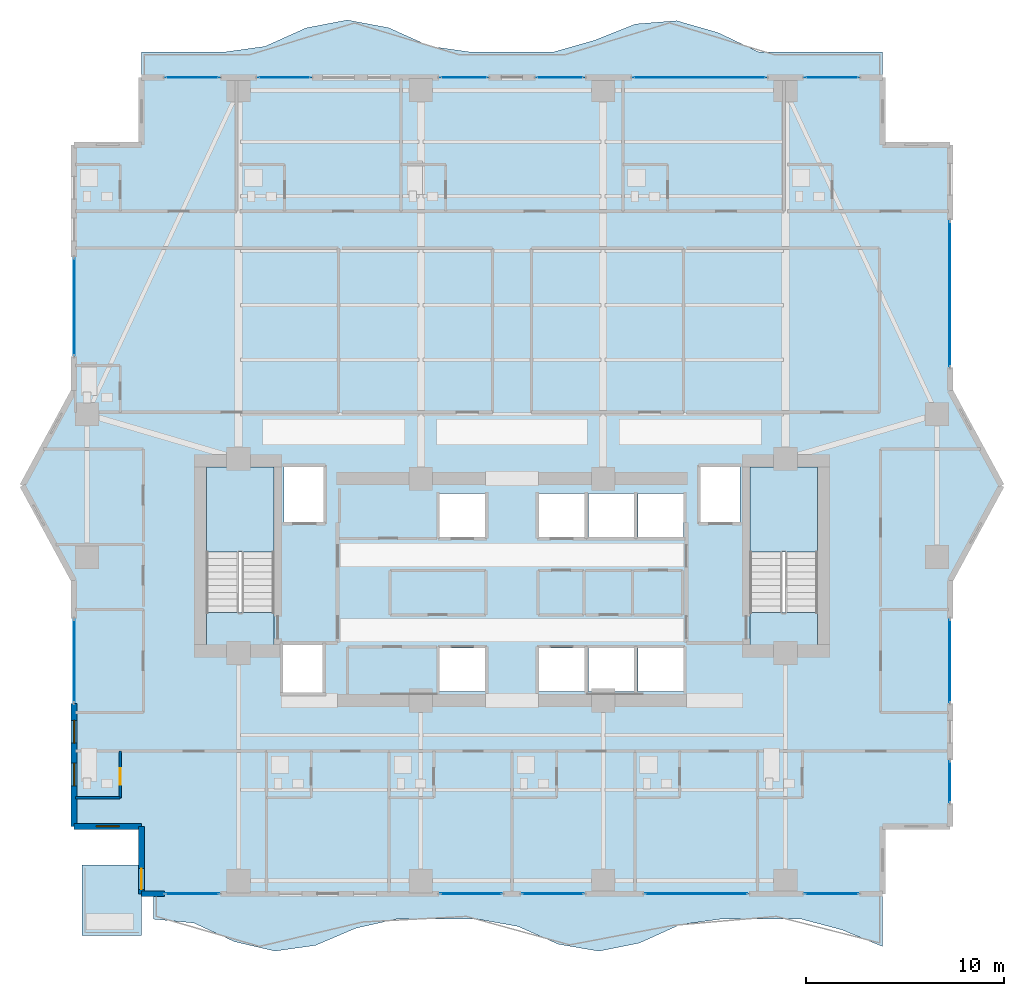
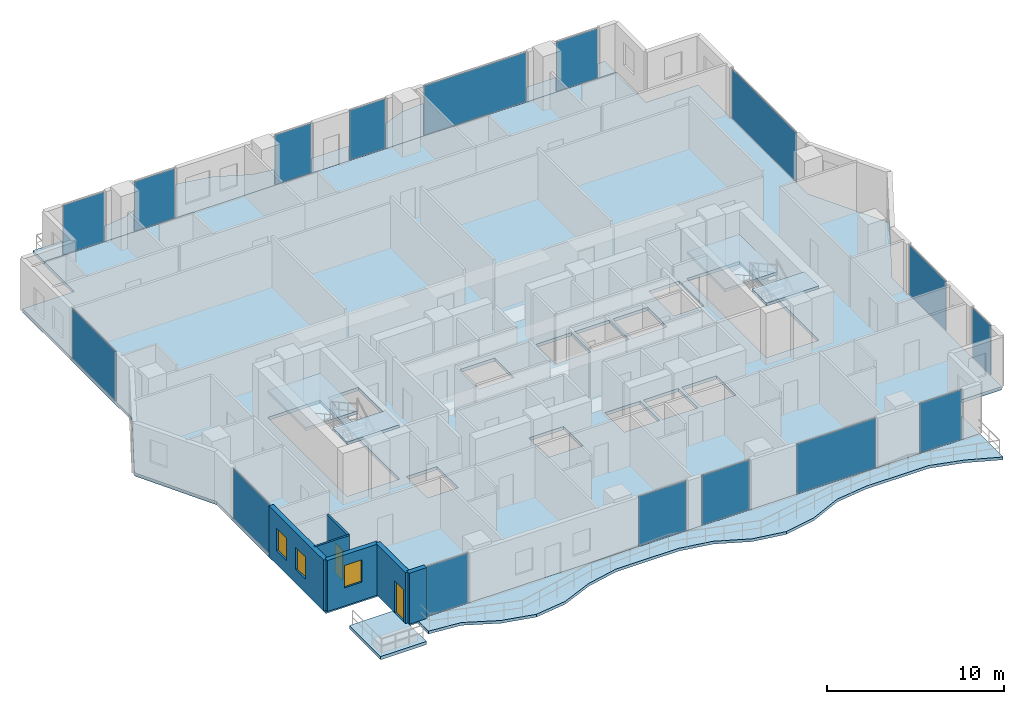
# One storey, part 23 of 32: 16 plates, 8 slabs, 6 walls, 3 windows, 2 doors, 5 openings, 18 elements without a shape of their own.
"""IFC4 building model written with IfcOpenShell, lengths in metres."""

from ifc_helpers import new_model, si_unit, direction, frame, frame_2d, origin, origin_2d, place, context, subcontext, project, spatial, polyline, rectangle, outline, extrude, material, layer, layer_set, type_object, element, fill, aggregate, save


model = new_model("IFC4")

# Units and contexts
model_context = context("Model", 3, precision=1e-05, world=origin(), true_north=direction((0.0, 1.0)))
body_context = subcontext(model_context, "Body", "Model", "MODEL_VIEW")
ifc_project = project(units=[si_unit("LENGTHUNIT", "METRE"), si_unit("AREAUNIT", "SQUARE_METRE"), si_unit("VOLUMEUNIT", "CUBIC_METRE"), si_unit("PLANEANGLEUNIT", "RADIAN"), si_unit("MASSUNIT", "GRAM", prefix="KILO")], contexts=[model_context])

# Site, building, storey
site_placement = place(None, origin())
site = spatial("IfcSite", under=ifc_project, at=site_placement, CompositionType="ELEMENT")
building_placement = place(site_placement, origin())
building = spatial("IfcBuilding", under=site, at=building_placement, Name="Zuhayl Quay Hotel", CompositionType="ELEMENT")
storey_placement = place(building_placement, frame((0.0, 0.0, 192.39990234375)))
storey = spatial("IfcBuildingStorey", under=building, at=storey_placement, Name="L48", CompositionType="ELEMENT", Elevation=192.39990234375)

# Curtain wall, plate
ifc_material_1 = material(Name="Anodised Aluminium 6063-T6", Category="aluminium")
ifc_layer_1 = layer(ifc_material_1, 0.175048828125, Name="Anodised Aluminium 6063-T6", Category="aluminium")
ifc_layer_set_1 = layer_set([ifc_layer_1], Name="Anodised Aluminium 6063-T6")
curtain_wall_type = type_object("IfcCurtainWallType", Name="CW_SYS_Z3", PredefinedType="USERDEFINED", material=ifc_layer_set_1)
curtain_wall_1_placement = place(storey_placement, origin())
curtain_wall_1 = element("IfcCurtainWall", 1, at=curtain_wall_1_placement, inside=storey, type_object=curtain_wall_type, Name="L48 Curtain Wall ENV_L48_E02_CW1", ObjectType="UNITISED CURTAIN WALL", PredefinedType="USERDEFINED")
ifc_material_2 = material(Name="Dark Ceramic-Fritted Solar Glass", Category="glass")
ifc_layer_2 = layer(ifc_material_2, 0.0400390625, Name="Dark Ceramic-Fritted Solar Glass", Category="glass")
ifc_layer_set_2 = layer_set([ifc_layer_2], Name="Dark Ceramic-Fritted Solar Glass")
plate_type = type_object("IfcPlateType", Name="PN_OP_VENT_Z3", PredefinedType="CURTAIN_PANEL", material=ifc_layer_set_2)
plate_1_placement = place(storey_placement, frame((-22.10009765625, 4.14990234375, 0.05517578125), z_axis=(0.0, 0.0, 1.0), x_axis=(0.0, 1.0, 0.0)))
plate_1 = element("IfcPlate", 2, at=plate_1_placement, type_object=plate_type, Name="CW-Z3 panel 1.1", PredefinedType="CURTAIN_PANEL", context=body_context, shape_type="SweptSolid", body=[
    extrude(rectangle(XDim=4.169921875, YDim=0.0400390625, at=origin_2d()), origin(), (0.0, 0.0, 1.0), 3.419921875),
])
aggregate(curtain_wall_1, [plate_1])

curtain_wall_2_placement = place(storey_placement, origin())
curtain_wall_2 = element("IfcCurtainWall", 3, at=curtain_wall_2_placement, inside=storey, type_object=curtain_wall_type, Name="L48 Curtain Wall ENV_L48_E05_CW1", ObjectType="UNITISED CURTAIN WALL", PredefinedType="USERDEFINED")
plate_2_placement = place(storey_placement, frame((-22.10009765625, 22.030029296875, 0.05517578125), z_axis=(0.0, 0.0, 1.0), x_axis=(0.0, 1.0, 0.0)))
plate_2 = element("IfcPlate", 4, at=plate_2_placement, type_object=plate_type, Name="CW-Z3 panel 1.1", PredefinedType="CURTAIN_PANEL", context=body_context, shape_type="SweptSolid", body=[
    extrude(rectangle(XDim=4.909912109375, YDim=0.0400390625, at=origin_2d()), origin(), (0.0, 0.0, 1.0), 3.419921875),
])
aggregate(curtain_wall_2, [plate_2])

curtain_wall_3_placement = place(storey_placement, origin())
curtain_wall_3 = element("IfcCurtainWall", 5, at=curtain_wall_3_placement, inside=storey, type_object=curtain_wall_type, Name="L48 Curtain Wall ENV_L48_N_CW1", ObjectType="UNITISED CURTAIN WALL", PredefinedType="USERDEFINED")
plate_3_placement = place(storey_placement, frame((-16.135009765625, 33.60009765625, 0.05517578125), z_axis=(0.0, 0.0, 1.0), x_axis=(1.0, 0.0, 0.0)))
plate_3 = element("IfcPlate", 6, at=plate_3_placement, type_object=plate_type, Name="CW-Z3 panel 1.1", PredefinedType="CURTAIN_PANEL", context=body_context, shape_type="SweptSolid", body=[
    extrude(rectangle(XDim=2.699951171875, YDim=0.0400390625, at=origin_2d()), origin(), (0.0, 0.0, 1.0), 3.419921875),
])
aggregate(curtain_wall_3, [plate_3])

curtain_wall_4_placement = place(storey_placement, origin())
curtain_wall_4 = element("IfcCurtainWall", 7, at=curtain_wall_4_placement, inside=storey, type_object=curtain_wall_type, Name="L48 Curtain Wall ENV_L48_N_CW2", ObjectType="UNITISED CURTAIN WALL", PredefinedType="USERDEFINED")
plate_4_placement = place(storey_placement, frame((-11.491943359375, 33.60009765625, 0.05517578125), z_axis=(0.0, 0.0, 1.0), x_axis=(1.0, 0.0, 0.0)))
plate_4 = element("IfcPlate", 8, at=plate_4_placement, type_object=plate_type, Name="CW-Z3 panel 1.1", PredefinedType="CURTAIN_PANEL", context=body_context, shape_type="SweptSolid", body=[
    extrude(rectangle(XDim=2.64599609375, YDim=0.0400390625, at=origin_2d()), origin(), (0.0, 0.0, 1.0), 3.419921875),
])
aggregate(curtain_wall_4, [plate_4])

curtain_wall_5_placement = place(storey_placement, origin())
curtain_wall_5 = element("IfcCurtainWall", 9, at=curtain_wall_5_placement, inside=storey, type_object=curtain_wall_type, Name="L48 Curtain Wall ENV_L48_N_CW3", ObjectType="UNITISED CURTAIN WALL", PredefinedType="USERDEFINED")
plate_5_placement = place(storey_placement, frame((-2.427490234375, 33.60009765625, 0.05517578125), z_axis=(0.0, 0.0, 1.0), x_axis=(1.0, 0.0, 0.0)))
plate_5 = element("IfcPlate", 10, at=plate_5_placement, type_object=plate_type, Name="CW-Z3 panel 1.1", PredefinedType="CURTAIN_PANEL", context=body_context, shape_type="SweptSolid", body=[
    extrude(rectangle(XDim=2.375, YDim=0.0400390625, at=origin_2d()), origin(), (0.0, 0.0, 1.0), 3.419921875),
])
aggregate(curtain_wall_5, [plate_5])

curtain_wall_6_placement = place(storey_placement, origin())
curtain_wall_6 = element("IfcCurtainWall", 11, at=curtain_wall_6_placement, inside=storey, type_object=curtain_wall_type, Name="L48 Curtain Wall ENV_L48_N_CW4", ObjectType="UNITISED CURTAIN WALL", PredefinedType="USERDEFINED")
plate_6_placement = place(storey_placement, frame((2.427490234375, 33.60009765625, 0.05517578125), z_axis=(0.0, 0.0, 1.0), x_axis=(1.0, 0.0, 0.0)))
plate_6 = element("IfcPlate", 12, at=plate_6_placement, type_object=plate_type, Name="CW-Z3 panel 1.1", PredefinedType="CURTAIN_PANEL", context=body_context, shape_type="SweptSolid", body=[
    extrude(rectangle(XDim=2.375, YDim=0.0400390625, at=origin_2d()), origin(), (0.0, 0.0, 1.0), 3.419921875),
])
aggregate(curtain_wall_6, [plate_6])

curtain_wall_7_placement = place(storey_placement, origin())
curtain_wall_7 = element("IfcCurtainWall", 13, at=curtain_wall_7_placement, inside=storey, type_object=curtain_wall_type, Name="L48 Curtain Wall ENV_L48_N_CW5", ObjectType="UNITISED CURTAIN WALL", PredefinedType="USERDEFINED")
plate_7_placement = place(storey_placement, frame((9.465087890625, 33.60009765625, 0.05517578125), z_axis=(0.0, 0.0, 1.0), x_axis=(1.0, 0.0, 0.0)))
plate_7 = element("IfcPlate", 14, at=plate_7_placement, type_object=plate_type, Name="CW-Z3 panel 1.1", PredefinedType="CURTAIN_PANEL", context=body_context, shape_type="SweptSolid", body=[
    extrude(rectangle(XDim=6.699951171875, YDim=0.0400390625, at=origin_2d()), origin(), (0.0, 0.0, 1.0), 3.419921875),
])
aggregate(curtain_wall_7, [plate_7])

curtain_wall_8_placement = place(storey_placement, origin())
curtain_wall_8 = element("IfcCurtainWall", 15, at=curtain_wall_8_placement, inside=storey, type_object=curtain_wall_type, Name="L48 Curtain Wall ENV_L48_N_CW6", ObjectType="UNITISED CURTAIN WALL", PredefinedType="USERDEFINED")
plate_8_placement = place(storey_placement, frame((16.135009765625, 33.60009765625, 0.05517578125), z_axis=(0.0, 0.0, 1.0), x_axis=(1.0, 0.0, 0.0)))
plate_8 = element("IfcPlate", 16, at=plate_8_placement, type_object=plate_type, Name="CW-Z3 panel 1.1", PredefinedType="CURTAIN_PANEL", context=body_context, shape_type="SweptSolid", body=[
    extrude(rectangle(XDim=2.699951171875, YDim=0.0400390625, at=origin_2d()), origin(), (0.0, 0.0, 1.0), 3.419921875),
])
aggregate(curtain_wall_8, [plate_8])

curtain_wall_9_placement = place(storey_placement, origin())
curtain_wall_9 = element("IfcCurtainWall", 17, at=curtain_wall_9_placement, inside=storey, type_object=curtain_wall_type, Name="L48 Curtain Wall ENV_L48_E11_CW1", ObjectType="UNITISED CURTAIN WALL", PredefinedType="USERDEFINED")
plate_9_placement = place(storey_placement, frame((22.10009765625, 22.675048828125, 0.05517578125), z_axis=(0.0, 0.0, 1.0), x_axis=(0.0, -1.0, 0.0)))
plate_9 = element("IfcPlate", 18, at=plate_9_placement, type_object=plate_type, Name="CW-Z3 panel 1.1", PredefinedType="CURTAIN_PANEL", context=body_context, shape_type="SweptSolid", body=[
    extrude(rectangle(XDim=7.320068359375, YDim=0.0400390625, at=origin_2d()), origin(), (0.0, 0.0, 1.0), 3.419921875),
])
aggregate(curtain_wall_9, [plate_9])

curtain_wall_10_placement = place(storey_placement, origin())
curtain_wall_10 = element("IfcCurtainWall", 19, at=curtain_wall_10_placement, inside=storey, type_object=curtain_wall_type, Name="L48 Curtain Wall ENV_L48_E14_CW1", ObjectType="UNITISED CURTAIN WALL", PredefinedType="USERDEFINED")
plate_10_placement = place(storey_placement, frame((22.10009765625, 4.14990234375, 0.05517578125), z_axis=(0.0, 0.0, 1.0), x_axis=(0.0, -1.0, 0.0)))
plate_10 = element("IfcPlate", 20, at=plate_10_placement, type_object=plate_type, Name="CW-Z3 panel 1.1", PredefinedType="CURTAIN_PANEL", context=body_context, shape_type="SweptSolid", body=[
    extrude(rectangle(XDim=4.169921875, YDim=0.0400390625, at=origin_2d()), origin(), (0.0, 0.0, 1.0), 3.419921875),
])
aggregate(curtain_wall_10, [plate_10])

curtain_wall_11_placement = place(storey_placement, origin())
curtain_wall_11 = element("IfcCurtainWall", 21, at=curtain_wall_11_placement, inside=storey, type_object=curtain_wall_type, Name="L48 Curtain Wall ENV_L48_E14_CW2", ObjectType="UNITISED CURTAIN WALL", PredefinedType="USERDEFINED")
plate_11_placement = place(storey_placement, frame((22.10009765625, -1.949951171875, 0.05517578125), z_axis=(0.0, 0.0, 1.0), x_axis=(0.0, -1.0, 0.0)))
plate_11 = element("IfcPlate", 22, at=plate_11_placement, type_object=plate_type, Name="CW-Z3 panel 1.1", PredefinedType="CURTAIN_PANEL", context=body_context, shape_type="SweptSolid", body=[
    extrude(rectangle(XDim=2.070068359375, YDim=0.0400390625, at=origin_2d()), origin(), (0.0, 0.0, 1.0), 3.419921875),
])
aggregate(curtain_wall_11, [plate_11])

curtain_wall_12_placement = place(storey_placement, origin())
curtain_wall_12 = element("IfcCurtainWall", 23, at=curtain_wall_12_placement, inside=storey, type_object=curtain_wall_type, Name="L48 Curtain Wall ENV_L48_S_CW1", ObjectType="UNITISED CURTAIN WALL", PredefinedType="USERDEFINED")
plate_12_placement = place(storey_placement, frame((16.135009765625, -7.60009765625, 0.05517578125), z_axis=(0.0, 0.0, 1.0), x_axis=(-1.0, 0.0, 0.0)))
plate_12 = element("IfcPlate", 24, at=plate_12_placement, type_object=plate_type, Name="CW-Z3 panel 1.1", PredefinedType="CURTAIN_PANEL", context=body_context, shape_type="SweptSolid", body=[
    extrude(rectangle(XDim=2.699951171875, YDim=0.0400390625, at=origin_2d()), origin(), (0.0, 0.0, 1.0), 3.419921875),
])
aggregate(curtain_wall_12, [plate_12])

curtain_wall_13_placement = place(storey_placement, origin())
curtain_wall_13 = element("IfcCurtainWall", 25, at=curtain_wall_13_placement, inside=storey, type_object=curtain_wall_type, Name="L48 Curtain Wall ENV_L48_S_CW2", ObjectType="UNITISED CURTAIN WALL", PredefinedType="USERDEFINED")
plate_13_placement = place(storey_placement, frame((9.300048828125, -7.60009765625, 0.05517578125), z_axis=(0.0, 0.0, 1.0), x_axis=(-1.0, 0.0, 0.0)))
plate_13 = element("IfcPlate", 26, at=plate_13_placement, type_object=plate_type, Name="CW-Z3 panel 1.1", PredefinedType="CURTAIN_PANEL", context=body_context, shape_type="SweptSolid", body=[
    extrude(rectangle(XDim=5.169921875, YDim=0.0400390625, at=origin_2d()), origin(), (0.0, 0.0, 1.0), 3.419921875),
])
aggregate(curtain_wall_13, [plate_13])

curtain_wall_14_placement = place(storey_placement, origin())
curtain_wall_14 = element("IfcCurtainWall", 27, at=curtain_wall_14_placement, inside=storey, type_object=curtain_wall_type, Name="L48 Curtain Wall ENV_L48_S_CW3", ObjectType="UNITISED CURTAIN WALL", PredefinedType="USERDEFINED")
plate_14_placement = place(storey_placement, frame((2.06494140625, -7.60009765625, 0.05517578125), z_axis=(0.0, 0.0, 1.0), x_axis=(-1.0, 0.0, 0.0)))
plate_14 = element("IfcPlate", 28, at=plate_14_placement, type_object=plate_type, Name="CW-Z3 panel 1.1", PredefinedType="CURTAIN_PANEL", context=body_context, shape_type="SweptSolid", body=[
    extrude(rectangle(XDim=3.10009765625, YDim=0.0400390625, at=origin_2d()), origin(), (0.0, 0.0, 1.0), 3.419921875),
])
aggregate(curtain_wall_14, [plate_14])

curtain_wall_15_placement = place(storey_placement, origin())
curtain_wall_15 = element("IfcCurtainWall", 29, at=curtain_wall_15_placement, inside=storey, type_object=curtain_wall_type, Name="L48 Curtain Wall ENV_L48_S_CW4", ObjectType="UNITISED CURTAIN WALL", PredefinedType="USERDEFINED")
plate_15_placement = place(storey_placement, frame((-2.06494140625, -7.60009765625, 0.05517578125), z_axis=(0.0, 0.0, 1.0), x_axis=(-1.0, 0.0, 0.0)))
plate_15 = element("IfcPlate", 30, at=plate_15_placement, type_object=plate_type, Name="CW-Z3 panel 1.1", PredefinedType="CURTAIN_PANEL", context=body_context, shape_type="SweptSolid", body=[
    extrude(rectangle(XDim=3.10009765625, YDim=0.0400390625, at=origin_2d()), origin(), (0.0, 0.0, 1.0), 3.419921875),
])
aggregate(curtain_wall_15, [plate_15])

curtain_wall_16_placement = place(storey_placement, origin())
curtain_wall_16 = element("IfcCurtainWall", 31, at=curtain_wall_16_placement, inside=storey, type_object=curtain_wall_type, Name="L48 Curtain Wall ENV_L48_S_CW5", ObjectType="UNITISED CURTAIN WALL", PredefinedType="USERDEFINED")
plate_16_placement = place(storey_placement, frame((-16.135009765625, -7.60009765625, 0.05517578125), z_axis=(0.0, 0.0, 1.0), x_axis=(-1.0, 0.0, 0.0)))
plate_16 = element("IfcPlate", 32, at=plate_16_placement, type_object=plate_type, Name="CW-Z3 panel 1.1", PredefinedType="CURTAIN_PANEL", context=body_context, shape_type="SweptSolid", body=[
    extrude(rectangle(XDim=2.699951171875, YDim=0.0400390625, at=origin_2d()), origin(), (0.0, 0.0, 1.0), 3.419921875),
])
aggregate(curtain_wall_16, [plate_16])

# Slabs
ifc_material_3 = material(Name="Concrete C45/55", Category="concrete")
ifc_layer_3 = layer(ifc_material_3, 0.195068359375, Name="Concrete C45/55", Category="concrete")
ifc_layer_set_3 = layer_set([ifc_layer_3], Name="Concrete C45/55")
slab_type_1 = type_object("IfcSlabType", Name="SL_BALCONY_195", PredefinedType="FLOOR", material=ifc_layer_set_3)
slab_1_placement = place(storey_placement, frame((0.0, 0.0, -0.19482421875)))
element("IfcSlab", 33, at=slab_1_placement, inside=storey, type_object=slab_type_1, Name="L48 Exterior Rippling Balcony Slab North", PredefinedType="FLOOR", context=body_context, shape_type="SweptSolid", body=[
    extrude(outline(polyline([(-18.699951171875, 33.60009765625), (18.699951171875, 33.60009765625), (18.699951171875, 34.8798828125), (16.622314453125, 34.8798828125), (14.54443359375, 34.8798828125), (12.466796875, 34.8798828125), (10.388916015625, 35.865478515625), (8.31103515625, 36.464111328125), (6.2333984375, 36.29833984375), (4.155517578125, 35.472412109375), (2.077880859375, 34.8798828125), (0.0, 34.8798828125), (-2.077880859375, 34.8798828125), (-4.155517578125, 35.17919921875), (-6.2333984375, 36.1103515625), (-8.31103515625, 36.5), (-10.388916015625, 36.1025390625), (-12.466796875, 35.168212890625), (-14.54443359375, 34.8798828125), (-16.622314453125, 34.8798828125), (-18.699951171875, 34.8798828125), (-18.699951171875, 33.60009765625)])), origin(), (0.0, 0.0, 1.0), 0.19482421875),
])
slab_2_placement = place(storey_placement, frame((0.0, 0.0, -0.19482421875)))
element("IfcSlab", 34, at=slab_2_placement, inside=storey, type_object=slab_type_1, Name="L48 Exterior Rippling Balcony Slab South", PredefinedType="FLOOR", context=body_context, shape_type="SweptSolid", body=[
    extrude(outline(polyline([(-18.10009765625, -8.8798828125), (-16.0556640625, -9.075927734375), (-14.010986328125, -10.01953125), (-11.966796875, -10.4931640625), (-9.922119140625, -10.20751953125), (-7.877685546875, -9.337158203125), (-5.833251953125, -8.8798828125), (-3.788818359375, -8.8798828125), (-1.744384765625, -8.8798828125), (0.300048828125, -9.25), (2.344482421875, -10.149169921875), (4.388916015625, -10.499267578125), (6.433349609375, -10.08642578125), (8.477783203125, -9.162841796875), (10.522216796875, -8.8798828125), (12.566650390625, -8.8798828125), (14.611083984375, -8.8798828125), (16.655517578125, -9.424072265625), (18.699951171875, -10.26123046875), (18.699951171875, -7.60009765625), (-18.10009765625, -7.60009765625), (-18.10009765625, -8.8798828125)])), origin(), (0.0, 0.0, 1.0), 0.19482421875),
])
ifc_layer_4 = layer(ifc_material_3, 0.219970703125, Name="Concrete C45/55", Category="concrete")
ifc_layer_set_4 = layer_set([ifc_layer_4], Name="Concrete C45/55")
slab_type_2 = type_object("IfcSlabType", Name="SL_FLOOR_220", PredefinedType="FLOOR", material=ifc_layer_set_4)
slab_3_placement = place(storey_placement, frame((0.0, 0.0, -0.219970703125)))
element("IfcSlab", 35, at=slab_3_placement, inside=storey, type_object=slab_type_2, Name="L48 Structural Floor Slab", PredefinedType="FLOOR", context=body_context, shape_type="SweptSolid", body=[
    extrude(outline(polyline([(-18.699951171875, -7.60009765625), (18.699951171875, -7.60009765625), (18.699951171875, -4.199951171875), (22.10009765625, -4.199951171875), (22.10009765625, 8.199951171875), (24.699951171875, 13.0), (22.10009765625, 17.800048828125), (22.10009765625, 30.199951171875), (18.699951171875, 30.199951171875), (18.699951171875, 33.60009765625), (-18.699951171875, 33.60009765625), (-18.699951171875, 30.199951171875), (-22.10009765625, 30.199951171875), (-22.10009765625, 17.800048828125), (-24.699951171875, 13.0), (-22.10009765625, 8.199951171875), (-22.10009765625, -4.199951171875), (-18.699951171875, -4.199951171875), (-18.699951171875, -7.60009765625)]), holes=[polyline([(-12.0, 4.949951171875), (-12.0, 13.949951171875), (-15.429931640625, 13.949951171875), (-15.429931640625, 4.949951171875), (-12.0, 4.949951171875)]), polyline([(15.429931640625, 4.949951171875), (15.429931640625, 13.949951171875), (12.0, 13.949951171875), (12.0, 4.949951171875), (15.429931640625, 4.949951171875)]), polyline([(-11.5, 11.14990234375), (-9.5, 11.14990234375), (-9.5, 13.949951171875), (-11.5, 13.949951171875), (-11.5, 11.14990234375)]), polyline([(9.5, 11.14990234375), (11.5, 11.14990234375), (11.5, 13.949951171875), (9.5, 13.949951171875), (9.5, 11.14990234375)]), polyline([(-3.64990234375, 2.60009765625), (-1.35009765625, 2.60009765625), (-1.35009765625, 4.800048828125), (-3.64990234375, 4.800048828125), (-3.64990234375, 2.60009765625)]), polyline([(1.35009765625, 2.60009765625), (3.64990234375, 2.60009765625), (3.64990234375, 4.800048828125), (1.35009765625, 4.800048828125), (1.35009765625, 2.60009765625)]), polyline([(-3.64990234375, 10.39990234375), (-1.35009765625, 10.39990234375), (-1.35009765625, 12.60009765625), (-3.64990234375, 12.60009765625), (-3.64990234375, 10.39990234375)]), polyline([(1.35009765625, 10.39990234375), (3.64990234375, 10.39990234375), (3.64990234375, 12.60009765625), (1.35009765625, 12.60009765625), (1.35009765625, 10.39990234375)]), polyline([(3.85009765625, 2.60009765625), (6.14990234375, 2.60009765625), (6.14990234375, 4.800048828125), (3.85009765625, 4.800048828125), (3.85009765625, 2.60009765625)]), polyline([(6.35009765625, 2.60009765625), (8.64990234375, 2.60009765625), (8.64990234375, 4.800048828125), (6.35009765625, 4.800048828125), (6.35009765625, 2.60009765625)]), polyline([(3.85009765625, 10.39990234375), (6.14990234375, 10.39990234375), (6.14990234375, 12.60009765625), (3.85009765625, 12.60009765625), (3.85009765625, 10.39990234375)]), polyline([(6.35009765625, 10.39990234375), (8.64990234375, 10.39990234375), (8.64990234375, 12.60009765625), (6.35009765625, 12.60009765625), (6.35009765625, 10.39990234375)]), polyline([(-11.550048828125, 2.550048828125), (-9.550048828125, 2.550048828125), (-9.550048828125, 4.949951171875), (-11.550048828125, 4.949951171875), (-11.550048828125, 2.550048828125)])]), origin(), (0.0, 0.0, 1.0), 0.219970703125),
])

# Stair, slabs
stair_type = type_object("IfcStairType", Name="ST_DOGLEG_TOWER", PredefinedType="HALF_TURN_STAIR", material=ifc_material_3)
stair_1_placement = place(storey_placement, origin())
stair_1 = element("IfcStair", 36, at=stair_1_placement, inside=storey, type_object=stair_type, Name="L48 Smokeproof Exit Stair ST1", PredefinedType="HALF_TURN_STAIR")
ifc_layer_5 = layer(ifc_material_3, 0.199951171875, Name="Concrete C45/55", Category="concrete")
ifc_layer_set_5 = layer_set([ifc_layer_5], Name="Concrete C45/55")
slab_type_3 = type_object("IfcSlabType", Name="SL_STAIR_LANDING_200", PredefinedType="LANDING", material=ifc_layer_set_5)
slab_4_placement = place(storey_placement, frame((0.0, 0.0, 1.675048828125)))
slab_4 = element("IfcSlab", 37, at=slab_4_placement, type_object=slab_type_3, Name="ST1 landing 1", PredefinedType="LANDING", context=body_context, shape_type="SweptSolid", body=[
    extrude(outline(polyline([(-12.0, 9.64990234375), (-12.0, 13.949951171875), (-15.429931640625, 13.949951171875), (-15.429931640625, 9.64990234375), (-12.0, 9.64990234375)])), origin(), (0.0, 0.0, 1.0), 0.199951171875),
])
slab_5_placement = place(storey_placement, frame((0.0, 0.0, 3.550048828125)))
slab_5 = element("IfcSlab", 38, at=slab_5_placement, type_object=slab_type_3, Name="ST1 landing 2", PredefinedType="LANDING", context=body_context, shape_type="SweptSolid", body=[
    extrude(outline(polyline([(-12.0, 4.949951171875), (-12.0, 6.590087890625), (-15.429931640625, 6.590087890625), (-15.429931640625, 4.949951171875), (-12.0, 4.949951171875)])), origin(), (0.0, 0.0, 1.0), 0.199951171875),
])
aggregate(stair_1, [slab_4, slab_5])

stair_2_placement = place(storey_placement, origin())
stair_2 = element("IfcStair", 39, at=stair_2_placement, inside=storey, type_object=stair_type, Name="L48 Smokeproof Exit Stair ST2", PredefinedType="HALF_TURN_STAIR")
slab_6_placement = place(storey_placement, frame((0.0, 0.0, 1.675048828125)))
slab_6 = element("IfcSlab", 40, at=slab_6_placement, type_object=slab_type_3, Name="ST2 landing 1", PredefinedType="LANDING", context=body_context, shape_type="SweptSolid", body=[
    extrude(outline(polyline([(15.429931640625, 9.64990234375), (15.429931640625, 13.949951171875), (12.0, 13.949951171875), (12.0, 9.64990234375), (15.429931640625, 9.64990234375)])), origin(), (0.0, 0.0, 1.0), 0.199951171875),
])
slab_7_placement = place(storey_placement, frame((0.0, 0.0, 3.550048828125)))
slab_7 = element("IfcSlab", 41, at=slab_7_placement, type_object=slab_type_3, Name="ST2 landing 2", PredefinedType="LANDING", context=body_context, shape_type="SweptSolid", body=[
    extrude(outline(polyline([(15.429931640625, 4.949951171875), (15.429931640625, 6.590087890625), (12.0, 6.590087890625), (12.0, 4.949951171875), (15.429931640625, 4.949951171875)])), origin(), (0.0, 0.0, 1.0), 0.199951171875),
])
aggregate(stair_2, [slab_6, slab_7])

# Slab
ifc_layer_6 = layer(ifc_material_3, 0.219970703125, Name="Concrete C45/55", Category="concrete")
ifc_layer_set_6 = layer_set([ifc_layer_6], Name="Concrete C45/55")
slab_type_4 = type_object("IfcSlabType", Name="SL_TERRACE_235", PredefinedType="FLOOR", material=ifc_layer_set_6)
slab_8_placement = place(storey_placement, frame((0.0, 0.0, -0.219970703125)))
element("IfcSlab", 42, at=slab_8_placement, inside=storey, type_object=slab_type_4, Name="L48 Exterior Sky-Terrace Slab L48_SPIRAL_SW", PredefinedType="FLOOR", context=body_context, shape_type="SweptSolid", body=[
    extrude(outline(polyline([(-21.699951171875, -9.699951171875), (-18.699951171875, -9.699951171875), (-18.699951171875, -6.14990234375), (-21.699951171875, -6.14990234375), (-21.699951171875, -9.699951171875)])), origin(), (0.0, 0.0, 1.0), 0.219970703125),
])

# Wall, opening, window
ifc_material_4 = material(Name="Precast concrete C45/55", Category="concrete")
ifc_layer_7 = layer(ifc_material_4, 0.300048828125, Name="Precast concrete C45/55", Category="concrete")
ifc_layer_set_7 = layer_set([ifc_layer_7], Name="Precast concrete C45/55")
wall_type_1 = type_object("IfcWallType", Name="WL_EXT_300", PredefinedType="STANDARD", material=ifc_layer_set_7)
wall_1_placement = place(storey_placement, frame((-18.699951171875, -4.199951171875, 0.0), z_axis=(0.0, 0.0, 1.0), x_axis=(-1.0, 0.0, 0.0)))
wall_1 = element("IfcWall", 43, at=wall_1_placement, inside=storey, type_object=wall_type_1, Name="L48 Exterior Precast Wall ENV_L48_EW01", PredefinedType="STANDARD", context=body_context, shape_type="SweptSolid", body=[
    extrude(rectangle(XDim=3.400146484375, YDim=0.300048828125, at=frame_2d((1.7001953125, 0.0))), origin(), (0.0, 0.0, 1.0), 3.530029296875),
])
opening_1_placement = place(wall_1_placement, frame((1.125, 0.0, 1.25)))
opening_1 = element("IfcOpeningElement", 44, at=opening_1_placement, cuts=wall_1, Name="Opening W01N", PredefinedType="OPENING", context=body_context, shape_type="SweptSolid", body=[
    extrude(rectangle(XDim=1.14990234375, YDim=1.550048828125, at=frame_2d((0.574951171875, 0.77490234375))), frame((0.0, 0.159912109375, 0.0), z_axis=(0.0, -1.0, 0.0), x_axis=(1.0, 0.0, 0.0)), (0.0, 0.0, 1.0), 0.320068359375),
])
window_type = type_object("IfcWindowType", Name="WN_NOTCH_1350", PartitioningType="SINGLE_PANEL", PredefinedType="WINDOW", material=ifc_material_2)
window_1_placement = place(opening_1_placement, origin())
window_1 = element("IfcWindow", 45, at=window_1_placement, inside=storey, type_object=window_type, Name="L48 Corner Notch Window 1", OverallHeight=1.550048828125, OverallWidth=1.14990234375, PartitioningType="SINGLE_PANEL", PredefinedType="WINDOW", context=body_context, shape_type="SweptSolid", body=[
    extrude(rectangle(XDim=1.14990234375, YDim=1.550048828125, at=frame_2d((0.574951171875, 0.77490234375))), frame((0.0, 0.030029296875, 0.0), z_axis=(0.0, -1.0, 0.0), x_axis=(1.0, 0.0, 0.0)), (0.0, 0.0, 1.0), 0.06005859375),
])
fill(opening_1, window_1)

# Wall, openings, windows
wall_2_placement = place(storey_placement, frame((-22.10009765625, -4.199951171875, 0.0), z_axis=(0.0, 0.0, 1.0), x_axis=(0.0, 1.0, 0.0)))
wall_2 = element("IfcWall", 46, at=wall_2_placement, inside=storey, type_object=wall_type_1, Name="L48 Exterior Precast Wall ENV_L48_E02_EW1", PredefinedType="STANDARD", context=body_context, shape_type="SweptSolid", body=[
    extrude(rectangle(XDim=6.199951171875, YDim=0.300048828125, at=frame_2d((3.10009765625, 0.0))), origin(), (0.0, 0.0, 1.0), 3.530029296875),
])
opening_2_placement = place(wall_2_placement, frame((2.044921875, 0.0, 0.949951171875)))
opening_2 = element("IfcOpeningElement", 47, at=opening_2_placement, cuts=wall_2, Name="Opening W01N", PredefinedType="OPENING", context=body_context, shape_type="SweptSolid", body=[
    extrude(rectangle(XDim=1.14990234375, YDim=1.550048828125, at=frame_2d((0.574951171875, 0.77490234375))), frame((0.0, 0.159912109375, 0.0), z_axis=(0.0, -1.0, 0.0), x_axis=(1.0, 0.0, 0.0)), (0.0, 0.0, 1.0), 0.320068359375),
])
opening_3_placement = place(wall_2_placement, frame((4.199951171875, 0.0, 0.949951171875)))
opening_3 = element("IfcOpeningElement", 48, at=opening_3_placement, cuts=wall_2, Name="Opening W01N", PredefinedType="OPENING", context=body_context, shape_type="SweptSolid", body=[
    extrude(rectangle(XDim=1.14990234375, YDim=1.550048828125, at=frame_2d((0.574951171875, 0.77490234375))), frame((0.0, 0.159912109375, 0.0), z_axis=(0.0, -1.0, 0.0), x_axis=(1.0, 0.0, 0.0)), (0.0, 0.0, 1.0), 0.320068359375),
])
window_2_placement = place(opening_2_placement, origin())
window_2 = element("IfcWindow", 49, at=window_2_placement, inside=storey, type_object=window_type, Name="L48 Operable Facade Window 1-1", OverallHeight=1.550048828125, OverallWidth=1.14990234375, PartitioningType="SINGLE_PANEL", PredefinedType="WINDOW", context=body_context, shape_type="SweptSolid", body=[
    extrude(rectangle(XDim=1.14990234375, YDim=1.550048828125, at=frame_2d((0.574951171875, 0.77490234375))), frame((0.0, 0.030029296875, 0.0), z_axis=(0.0, -1.0, 0.0), x_axis=(1.0, 0.0, 0.0)), (0.0, 0.0, 1.0), 0.06005859375),
])
fill(opening_2, window_2)
window_3_placement = place(opening_3_placement, origin())
window_3 = element("IfcWindow", 50, at=window_3_placement, inside=storey, type_object=window_type, Name="L48 Operable Facade Window 1-2", OverallHeight=1.550048828125, OverallWidth=1.14990234375, PartitioningType="SINGLE_PANEL", PredefinedType="WINDOW", context=body_context, shape_type="SweptSolid", body=[
    extrude(rectangle(XDim=1.14990234375, YDim=1.550048828125, at=frame_2d((0.574951171875, 0.77490234375))), frame((0.0, 0.030029296875, 0.0), z_axis=(0.0, -1.0, 0.0), x_axis=(1.0, 0.0, 0.0)), (0.0, 0.0, 1.0), 0.06005859375),
])
fill(opening_3, window_3)

# Wall
wall_3_placement = place(storey_placement, frame((-17.550048828125, -7.60009765625, 0.0), z_axis=(0.0, 0.0, 1.0), x_axis=(-1.0, 0.0, 0.0)))
element("IfcWall", 51, at=wall_3_placement, inside=storey, type_object=wall_type_1, Name="L48 Exterior Precast Wall ENV_L48_S_EW6", PredefinedType="STANDARD", context=body_context, shape_type="SweptSolid", body=[
    extrude(rectangle(XDim=1.14990234375, YDim=0.300048828125, at=frame_2d((0.574951171875, 0.0))), origin(), (0.0, 0.0, 1.0), 3.530029296875),
])

# Wall, opening, door
wall_4_placement = place(storey_placement, frame((-18.699951171875, -7.60009765625, 0.0), z_axis=(0.0, 0.0, 1.0), x_axis=(0.0, 1.0, 0.0)))
wall_4 = element("IfcWall", 52, at=wall_4_placement, inside=storey, type_object=wall_type_1, Name="L48 Exterior Precast Wall ENV_L48_SP_SW", PredefinedType="STANDARD", context=body_context, shape_type="SweptSolid", body=[
    extrude(rectangle(XDim=3.400146484375, YDim=0.300048828125, at=frame_2d((1.7001953125, 0.0))), origin(), (0.0, 0.0, 1.0), 3.530029296875),
])
opening_4_placement = place(wall_4_placement, frame((0.219970703125, 0.0, 0.0)))
opening_4 = element("IfcOpeningElement", 53, at=opening_4_placement, cuts=wall_4, Name="Opening DG1", PredefinedType="OPENING", context=body_context, shape_type="SweptSolid", body=[
    extrude(rectangle(XDim=1.050048828125, YDim=2.199951171875, at=frame_2d((0.52490234375, 1.10009765625))), frame((0.0, 0.159912109375, 0.0), z_axis=(0.0, -1.0, 0.0), x_axis=(1.0, 0.0, 0.0)), (0.0, 0.0, 1.0), 0.320068359375),
])
ifc_material_5 = material(Name="Anodised Aluminium and Dark Solar Glass", Category="aluminium")
door_type_1 = type_object("IfcDoorType", Name="DR_EXT_TERR_1050", OperationType="NOTDEFINED", PredefinedType="DOOR", material=ifc_material_5)
door_1_placement = place(opening_4_placement, origin())
door_1 = element("IfcDoor", 54, at=door_1_placement, inside=storey, type_object=door_type_1, Name="L48 Spiral Sky-Terrace SW Access Door", OperationType="SINGLE_SWING_LEFT", OverallHeight=2.199951171875, OverallWidth=1.050048828125, PredefinedType="DOOR", context=body_context, shape_type="SweptSolid", body=[
    extrude(rectangle(XDim=1.050048828125, YDim=2.199951171875, at=frame_2d((0.52490234375, 1.10009765625))), frame((0.0, 0.02490234375, 0.0), z_axis=(0.0, -1.0, 0.0), x_axis=(1.0, 0.0, 0.0)), (0.0, 0.0, 1.0), 0.050048828125),
])
fill(opening_4, door_1)

ifc_material_6 = material(Name="Moisture-Resistant Sanitarychase Gypsum")
ifc_layer_8 = layer(ifc_material_6, 0.135009765625, Name="Moisture-Resistant Sanitarychase Gypsum")
ifc_layer_set_8 = layer_set([ifc_layer_8], Name="Moisture-Resistant Sanitarychase Gypsum")
wall_type_2 = type_object("IfcWallType", Name="WL_PART_PLUMB_150", PredefinedType="PLUMBINGWALL", material=ifc_layer_set_8)
wall_5_placement = place(storey_placement, frame((-19.780029296875, -2.760009765625, 0.0), z_axis=(0.0, 0.0, 1.0), x_axis=(0.0, 1.0, 0.0)))
wall_5 = element("IfcWall", 55, at=wall_5_placement, inside=storey, type_object=wall_type_2, Name="L48 Partition IW_L48_SU01_BE", PredefinedType="PLUMBINGWALL", context=body_context, shape_type="SweptSolid", body=[
    extrude(rectangle(XDim=2.360107421875, YDim=0.135009765625, at=frame_2d((1.18017578125, 0.0))), origin(), (0.0, 0.0, 1.0), 3.530029296875),
])
opening_5_placement = place(wall_5_placement, frame((0.64990234375, 0.0, 0.0)))
opening_5 = element("IfcOpeningElement", 56, at=opening_5_placement, cuts=wall_5, Name="Opening D04", PredefinedType="OPENING", context=body_context, shape_type="SweptSolid", body=[
    extrude(rectangle(XDim=0.85009765625, YDim=2.10009765625, at=frame_2d((0.425048828125, 1.050048828125))), frame((0.0, 0.077392578125, 0.0), z_axis=(0.0, -1.0, 0.0), x_axis=(1.0, 0.0, 0.0)), (0.0, 0.0, 1.0), 0.155029296875),
])
ifc_material_7 = material(Name="Moisture-Resistant Walnut Veneer")
door_type_2 = type_object("IfcDoorType", Name="DR_BATH_850", OperationType="NOTDEFINED", PredefinedType="DOOR", material=ifc_material_7)
door_2_placement = place(opening_5_placement, origin())
door_2 = element("IfcDoor", 57, at=door_2_placement, inside=storey, type_object=door_type_2, Name="L48 Premier Twin Guest Room L48-01 En-Suite Door", OperationType="SINGLE_SWING_RIGHT", OverallHeight=2.10009765625, OverallWidth=0.85009765625, PredefinedType="DOOR", context=body_context, shape_type="SweptSolid", body=[
    extrude(rectangle(XDim=0.85009765625, YDim=2.10009765625, at=frame_2d((0.425048828125, 1.050048828125))), frame((0.0, 0.02490234375, 0.0), z_axis=(0.0, -1.0, 0.0), x_axis=(1.0, 0.0, 0.0)), (0.0, 0.0, 1.0), 0.050048828125),
])
fill(opening_5, door_2)

# Wall
wall_6_placement = place(storey_placement, frame((-22.0400390625, -2.760009765625, 0.0), z_axis=(0.0, 0.0, 1.0), x_axis=(1.0, 0.0, 0.0)))
element("IfcWall", 58, at=wall_6_placement, inside=storey, type_object=wall_type_2, Name="L48 Partition IW_L48_SU01_BS", PredefinedType="PLUMBINGWALL", context=body_context, shape_type="SweptSolid", body=[
    extrude(rectangle(XDim=2.260009765625, YDim=0.135009765625, at=frame_2d((1.1298828125, 0.0))), origin(), (0.0, 0.0, 1.0), 3.530029296875),
])

save(model, "model.ifc")
